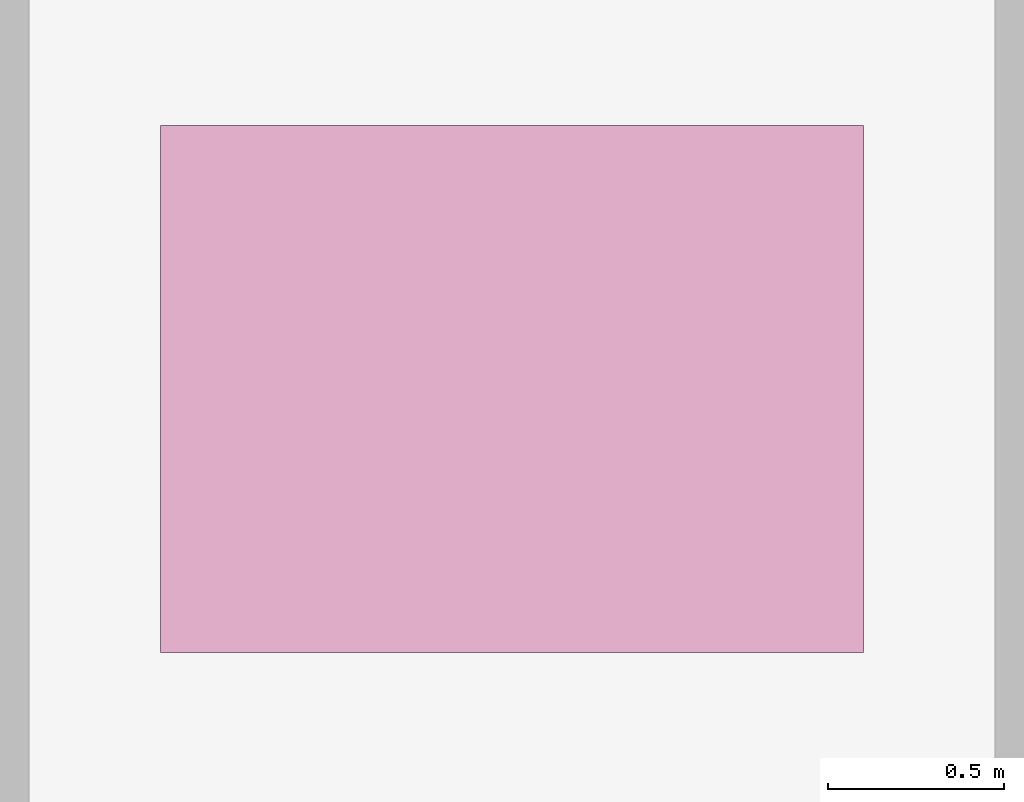
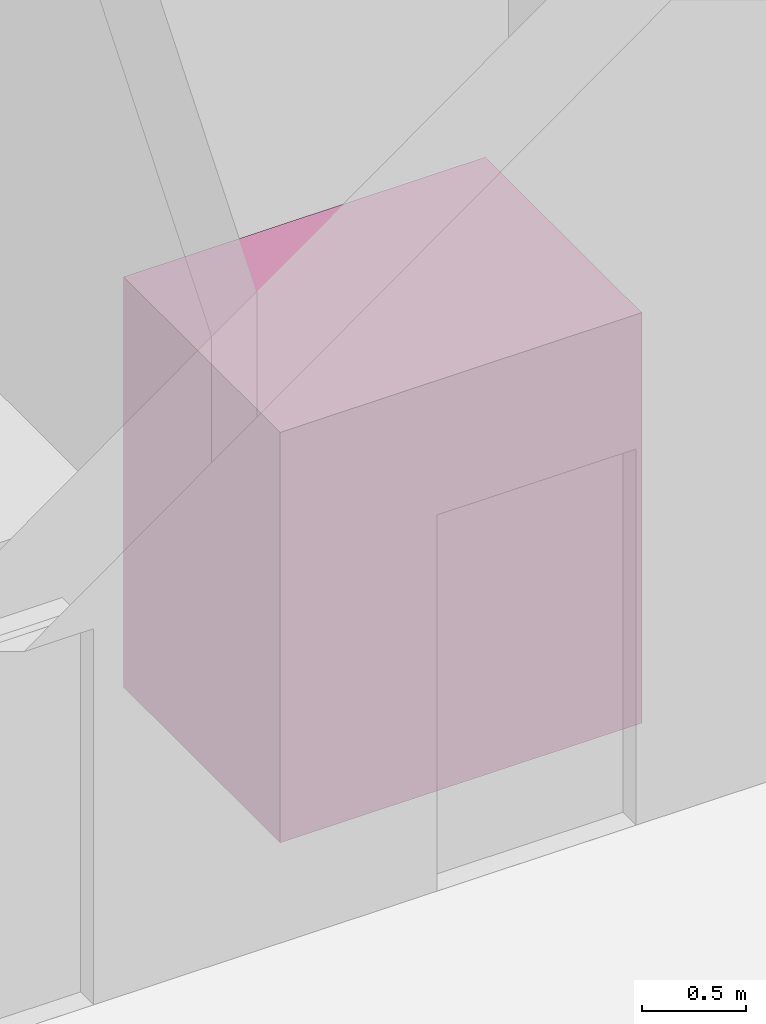
# One storey, part 13 of 13: 1 transport element.
"""IFC4 building model written with IfcOpenShell, lengths in metres."""

from ifc_helpers import new_model, si_unit, direction, frame, origin, origin_2d, place, context, subcontext, project, spatial, rectangle, extrude, material, type_object, element, save


model = new_model("IFC4")

# Units and contexts
model_context = context("Model", 3, precision=1e-05, world=origin(), true_north=direction((0.0, 1.0)))
body_context = subcontext(model_context, "Body", "Model", "MODEL_VIEW")
ifc_project = project(units=[si_unit("LENGTHUNIT", "METRE"), si_unit("AREAUNIT", "SQUARE_METRE"), si_unit("VOLUMEUNIT", "CUBIC_METRE"), si_unit("PLANEANGLEUNIT", "RADIAN"), si_unit("MASSUNIT", "GRAM", prefix="KILO")], contexts=[model_context])

# Site, building, storey
site_placement = place(None, origin())
site = spatial("IfcSite", under=ifc_project, at=site_placement, CompositionType="ELEMENT")
building_placement = place(site_placement, origin())
building = spatial("IfcBuilding", under=site, at=building_placement, Name="Hankou Lantern Tower", CompositionType="ELEMENT")
storey_placement = place(building_placement, frame((0.0, 0.0, 100.199951171875)))
storey = spatial("IfcBuildingStorey", under=building, at=storey_placement, Name="L25", CompositionType="ELEMENT", Elevation=100.199951171875)

# Transport element
ifc_material = material(Name="Steel lift car", Category="steel")
transport_element_type = type_object("IfcTransportElementType", Name="LF-T SUITE LIFT 1350 KG", PredefinedType="ELEVATOR", material=ifc_material)
transport_element_placement = place(storey_placement, frame((4.5, 2.925048828125, 0.0), z_axis=(0.0, 0.0, 1.0), x_axis=(1.0, 0.0, 0.0)))
element("IfcTransportElement", 1, at=transport_element_placement, inside=storey, type_object=transport_element_type, Name="Lift T1 suite lifts", PredefinedType="ELEVATOR", context=body_context, shape_type="SweptSolid", body=[
    extrude(rectangle(XDim=2.0, YDim=1.5, at=origin_2d()), origin(), (0.0, 0.0, 1.0), 2.4),
])

save(model, "model.ifc")
